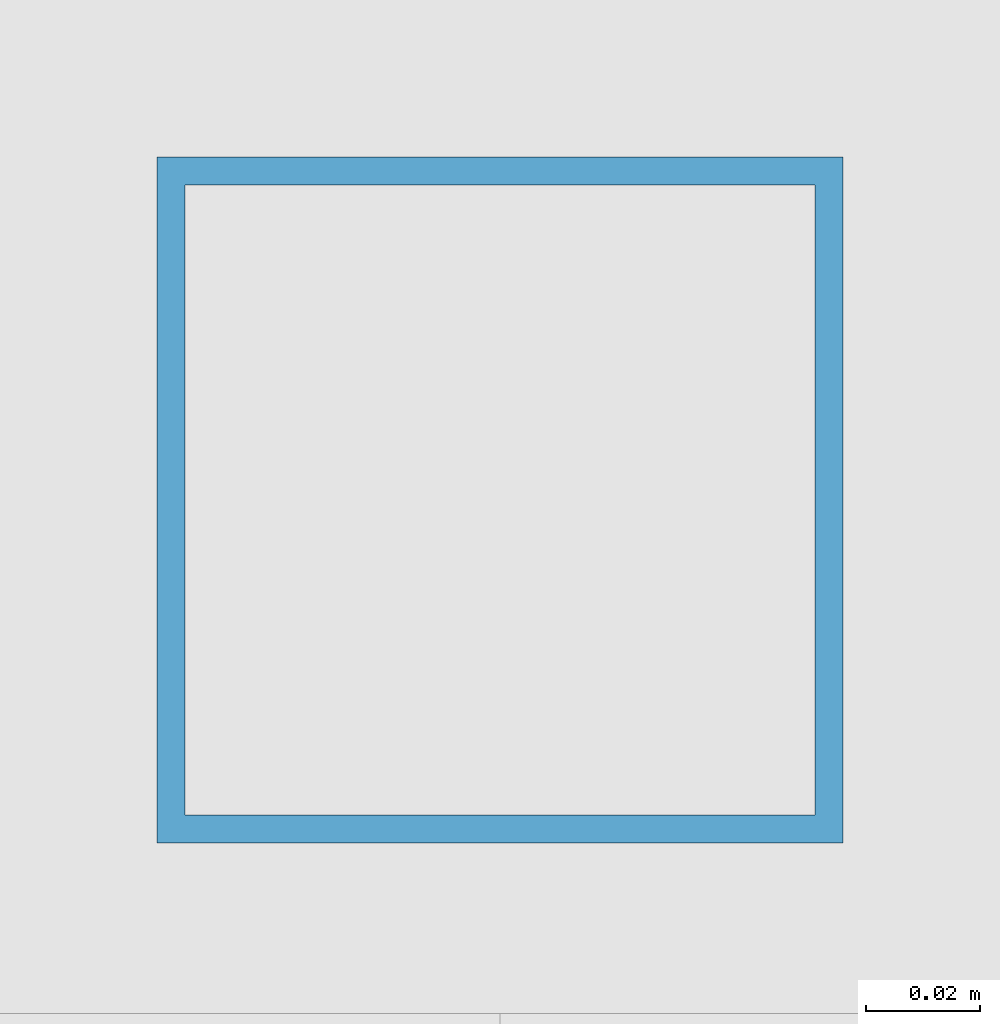
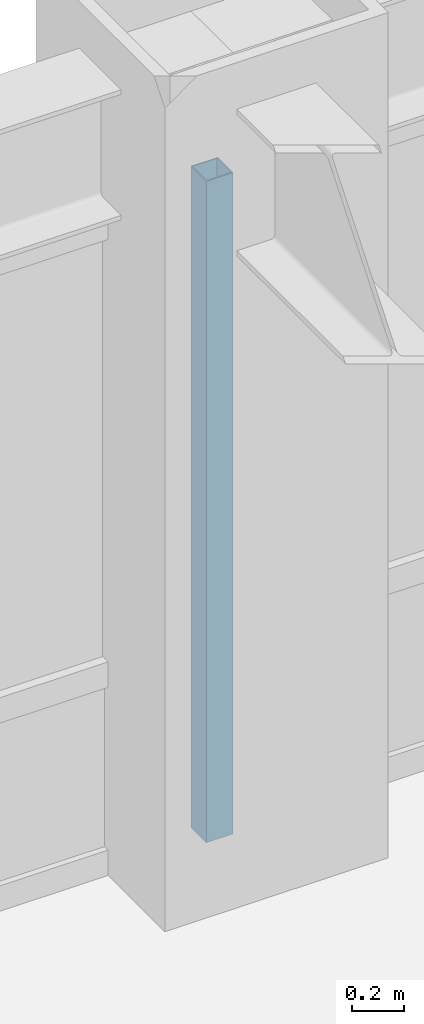
# One storey, part 16 of 29: 1 member, 1 element without a shape of its own.
"""IFC4 building model written with IfcOpenShell, lengths in metres."""

import ifcopenshell
import ifcopenshell.guid

model = None  # the IFC model being written
_history = None  # IfcOwnerHistory: only IFC2X3 demands one
_inside = {}  # id of a spatial element -> (the spatial element, [elements in it])
_under = {}  # id of a project, library or spatial element -> (it, [spatial elements below it])
_declared = {}  # id of a project -> (the project, [libraries it declares])
_typed = {}  # id of a type object -> (the type object, [elements of that type])
_made_of = {}  # id of a material, layer set ... -> (it, [elements and type objects made of it])


def new_model(schema):
    """Start an empty IFC model of exactly this schema.

    Asked for "IFC4X3", IfcOpenShell would pick the latest addendum, in which some entities
    have other attributes; the version numbers below select the first issue.
    IFC2X3 requires an IfcOwnerHistory on every rooted entity: one is made here for all.
    """
    global model, _history
    if schema == "IFC4X3":
        model = ifcopenshell.file(schema_version=(4, 3, 0, 0))
    else:
        model = ifcopenshell.file(schema=schema)
    _inside.clear()
    _under.clear()
    _declared.clear()
    _typed.clear()
    _made_of.clear()
    _history = None
    if model.schema == "IFC2X3":
        org = make("IfcOrganization", Name="unknown")
        user = make(
            "IfcPersonAndOrganization",
            ThePerson=make("IfcPerson", FamilyName="unknown"),
            TheOrganization=org,
        )
        app = make(
            "IfcApplication",
            ApplicationDeveloper=org,
            Version="unknown",
            ApplicationFullName="unknown",
            ApplicationIdentifier="unknown",
        )
        _history = make(
            "IfcOwnerHistory",
            OwningUser=user,
            OwningApplication=app,
            ChangeAction="ADDED",
            CreationDate=0,
        )
    return model


def make(cls, **values):
    """One entity of the class cls with the attributes given. An attribute that is None is left unset."""
    return model.create_entity(
        cls, **{name: value for name, value in values.items() if value is not None}
    )


def rooted(cls, **values):
    """An entity with a GlobalId (a new one), such as an element, a storey or a relation."""
    return make(cls, GlobalId=ifcopenshell.guid.new(), OwnerHistory=_history, **values)


def si_unit(unit_type, name, prefix=None):
    """IfcSIUnit, for example si_unit("LENGTHUNIT", "METRE", prefix="MILLI")."""
    return make("IfcSIUnit", UnitType=unit_type, Prefix=prefix, Name=name)


def assignment(units):
    """IfcUnitAssignment: the units of a project."""
    return None if units is None else make("IfcUnitAssignment", Units=units)


def point(xyz):
    """IfcCartesianPoint."""
    return None if xyz is None else make("IfcCartesianPoint", Coordinates=xyz)


def direction(xyz):
    """IfcDirection."""
    return None if xyz is None else make("IfcDirection", DirectionRatios=xyz)


def frame(location, z_axis=None, x_axis=None):
    """IfcAxis2Placement3D, a coordinate frame: its origin and axes. An axis left out is left unset."""
    return make(
        "IfcAxis2Placement3D",
        Location=point(location),
        Axis=direction(z_axis),
        RefDirection=direction(x_axis),
    )


def frame_2d(location, x_axis=None):
    """IfcAxis2Placement2D, a coordinate frame in the plane: its origin and x axis."""
    return make(
        "IfcAxis2Placement2D", Location=point(location), RefDirection=direction(x_axis)
    )


def origin():
    """The frame at (0, 0, 0) with its axes left unset."""
    return frame((0.0, 0.0, 0.0))


def origin_2d():
    """The frame at (0, 0) in the plane with its x axis left unset."""
    return frame_2d((0.0, 0.0))


def place(relative_to, where):
    """IfcLocalPlacement: puts the frame where relative to a parent placement (None: the world)."""
    return make(
        "IfcLocalPlacement", PlacementRelTo=relative_to, RelativePlacement=where
    )


def context(
    kind, dimensions, precision=None, world=None, true_north=None, identifier=None
):
    """IfcGeometricRepresentationContext, for example the 3D "Model" context."""
    return make(
        "IfcGeometricRepresentationContext",
        ContextIdentifier=identifier,
        ContextType=kind,
        CoordinateSpaceDimension=dimensions,
        Precision=precision,
        WorldCoordinateSystem=world,
        TrueNorth=true_north,
    )


def subcontext(parent, identifier, kind, view, scale=None):
    """IfcGeometricRepresentationSubContext, for example "Body" below "Model"."""
    return make(
        "IfcGeometricRepresentationSubContext",
        ContextIdentifier=identifier,
        ContextType=kind,
        ParentContext=parent,
        TargetScale=scale,
        TargetView=view,
    )


def project(units=None, contexts=None):
    """IfcProject with its units and contexts."""
    return rooted(
        "IfcProject",
        Name="project",
        RepresentationContexts=contexts,
        UnitsInContext=assignment(units),
    )


def spatial(cls, under=None, at=None, **own):
    """A site, building, storey or space (cls), placed at a placement, below another one or the project."""
    s = rooted(cls, ObjectPlacement=at, **own)
    if under is not None:
        _under.setdefault(under.id(), (under, []))[1].append(s)
    return s


def profile(cls, at=None, kind="AREA", **sizes):
    """A parametric profile (cls). Its sizes go by their IFC names, for example OverallWidth=200.0."""
    return make(cls, ProfileType=kind, Position=at, **sizes)


def hollow_rectangle(**sizes):
    """IfcRectangleHollowProfileDef."""
    return profile("IfcRectangleHollowProfileDef", **sizes)


def extrude(swept, where, along, depth):
    """IfcExtrudedAreaSolid: the profile swept, set in the frame where, extruded along a direction by depth."""
    return make(
        "IfcExtrudedAreaSolid",
        SweptArea=swept,
        Position=where,
        ExtrudedDirection=direction(along),
        Depth=depth,
    )


def shape(context_of_items, identifier, shape_type, items):
    """IfcShapeRepresentation: the items that make up one representation, for example the "Body"."""
    return make(
        "IfcShapeRepresentation",
        ContextOfItems=context_of_items,
        RepresentationIdentifier=identifier,
        RepresentationType=shape_type,
        Items=items,
    )


def source(mapping_origin, context_of_items, identifier, shape_type, items):
    """IfcRepresentationMap: a shape defined once, which mapped items show again and again."""
    return make(
        "IfcRepresentationMap",
        MappingOrigin=mapping_origin,
        MappedRepresentation=shape(context_of_items, identifier, shape_type, items),
    )


def transform(
    local_origin,
    x_axis=None,
    y_axis=None,
    z_axis=None,
    scale=None,
    scale2=None,
    scale3=None,
    uniform=True,
):
    """IfcCartesianTransformationOperator3D, or its non-uniform kind. x_axis, y_axis, z_axis: its Axis1, 2, 3."""
    if uniform:
        return make(
            "IfcCartesianTransformationOperator3D",
            Axis1=direction(x_axis),
            Axis2=direction(y_axis),
            LocalOrigin=point(local_origin),
            Scale=scale,
            Axis3=direction(z_axis),
        )
    return make(
        "IfcCartesianTransformationOperator3DnonUniform",
        Axis1=direction(x_axis),
        Axis2=direction(y_axis),
        LocalOrigin=point(local_origin),
        Scale=scale,
        Axis3=direction(z_axis),
        Scale2=scale2,
        Scale3=scale3,
    )


def mapped(mapping_source, mapping_target):
    """IfcMappedItem: shows the shape of a source again, moved by a transform."""
    return make(
        "IfcMappedItem", MappingSource=mapping_source, MappingTarget=mapping_target
    )


def material(Name=None, Category=None):
    """IfcMaterial."""
    return make("IfcMaterial", Name=Name, Category=Category)


def material_profile(
    of_material, cross_section, Name=None, Category=None, Priority=None
):
    """IfcMaterialProfile: a cross section and its material."""
    return make(
        "IfcMaterialProfile",
        Name=Name,
        Material=of_material,
        Profile=cross_section,
        Priority=Priority,
        Category=Category,
    )


def profile_set(profiles, Name=None, composite=None):
    """IfcMaterialProfileSet."""
    return make(
        "IfcMaterialProfileSet",
        Name=Name,
        MaterialProfiles=profiles,
        CompositeProfile=composite,
    )


def made_of(thing, what):
    """Note that an element or type object is made of a material, layer set ...; save() writes the relation."""
    if what is not None:
        _made_of.setdefault(what.id(), (what, []))[1].append(thing)
    return thing


def type_object(cls, material=None, **own):
    """A type object (cls), such as IfcWallType, which elements share."""
    return made_of(rooted(cls, **own), material)


def element(
    cls,
    number,
    at=None,
    inside=None,
    cuts=None,
    type_object=None,
    material=None,
    context=None,
    identifier="Body",
    shape_type=None,
    held_by="IfcProductDefinitionShape",
    body=None,
    shapes=None,
    **own,
):
    """One element of the class cls, such as IfcWall. Its Tag is "e" and its number.

    at: its placement. inside: the storey or other place that contains it. cuts: it is an
    opening in that element (IfcRelVoidsElement). A single representation is given by context,
    identifier, shape_type and body (its items); several are given by shapes. held_by: the class
    of the entity that holds the representations. save() writes the other relations.
    """
    e = rooted(cls, Tag="e%d" % number, ObjectPlacement=at, **own)
    if body is not None:
        shapes = [shape(context, identifier, shape_type, body)]
    if shapes is not None:
        e.Representation = make(held_by, Representations=shapes)
    if inside is not None:
        _inside.setdefault(inside.id(), (inside, []))[1].append(e)
    if cuts is not None:
        rooted(
            "IfcRelVoidsElement", RelatingBuildingElement=cuts, RelatedOpeningElement=e
        )
    if type_object is not None:
        _typed.setdefault(type_object.id(), (type_object, []))[1].append(e)
    return made_of(e, material)


def aggregate(whole, parts):
    """IfcRelAggregates: a whole, such as a stair, and the parts it consists of."""
    return rooted("IfcRelAggregates", RelatingObject=whole, RelatedObjects=parts)


def save(model, path):
    """Write the relations noted so far, then the file.

    IfcRelAggregates (storeys below a building ...), IfcRelContainedInSpatialStructure (elements
    in a storey), IfcRelDefinesByType, IfcRelAssociatesMaterial and IfcRelDeclares: one each for
    every whole, place, type object, material and project.
    """
    for whole, parts in _under.values():
        aggregate(whole, parts)
    for where, things in _inside.values():
        rooted(
            "IfcRelContainedInSpatialStructure",
            RelatedElements=things,
            RelatingStructure=where,
        )
    for kind, things in _typed.values():
        rooted("IfcRelDefinesByType", RelatedObjects=things, RelatingType=kind)
    for what, things in _made_of.values():
        rooted("IfcRelAssociatesMaterial", RelatedObjects=things, RelatingMaterial=what)
    for by, libraries in _declared.values():
        rooted("IfcRelDeclares", RelatingContext=by, RelatedDefinitions=libraries)
    model.write(path)


model = new_model("IFC4")

# Units and contexts
model_context = context("Model", 3, precision=1e-05, world=origin(), true_north=direction((0.0, 1.0)))
body_context = subcontext(model_context, "Body", "Model", "MODEL_VIEW")
ifc_project = project(units=[si_unit("LENGTHUNIT", "METRE"), si_unit("AREAUNIT", "SQUARE_METRE"), si_unit("VOLUMEUNIT", "CUBIC_METRE"), si_unit("PLANEANGLEUNIT", "RADIAN"), si_unit("MASSUNIT", "GRAM", prefix="KILO")], contexts=[model_context])

# Site, building, storey
site_placement = place(None, origin())
site = spatial("IfcSite", under=ifc_project, at=site_placement, CompositionType="ELEMENT")
building_placement = place(site_placement, origin())
building = spatial("IfcBuilding", under=site, at=building_placement, Name="Khorayat Bourse Tower", CompositionType="ELEMENT")
storey_placement = place(building_placement, frame((0.0, 0.0, 239.10009765625)))
storey = spatial("IfcBuildingStorey", under=building, at=storey_placement, Name="L56", CompositionType="ELEMENT", Elevation=239.10009765625)

# Curtain wall, member
ifc_material = material(Name="Aluminium EN AW-6063 T6", Category="aluminium")
curtain_wall_type = type_object("IfcCurtainWallType", Name="CW-SYS-03", PredefinedType="NOTDEFINED", material=ifc_material)
curtain_wall_placement = place(storey_placement, origin())
curtain_wall = element("IfcCurtainWall", 1, at=curtain_wall_placement, inside=storey, type_object=curtain_wall_type, Name="L56 Curtain Wall CW-L56-N1", PredefinedType="NOTDEFINED")
ifc_material_profile = material_profile(ifc_material, hollow_rectangle(XDim=0.1201171875, YDim=0.1201171875, WallThickness=0.0048828125, at=origin_2d()), Name="ALU 120x120x5")
ifc_profile_set = profile_set([ifc_material_profile], Name="Aluminium EN AW-6063 T6")
member_type = type_object("IfcMemberType", Name="CWM-VERT-120", PredefinedType="MULLION", material=ifc_profile_set)
shared_shape = source(origin(), body_context, "Body", "SweptSolid", [
    extrude(hollow_rectangle(XDim=0.1201171875, YDim=0.1201171875, WallThickness=0.0048828125, at=origin_2d()), origin(), (0.0, 0.0, 1.0), 3.1298828125),
])
member_placement = place(storey_placement, frame((0.0, 30.0, 0.0), z_axis=(0.0, 0.0, 1.0), x_axis=(0.0, 1.0, 0.0)))
member = element("IfcMember", 2, at=member_placement, type_object=member_type, Name="CW-L56-N1 Vertical Mullion 2", PredefinedType="MULLION", context=body_context, shape_type="MappedRepresentation", body=[
    mapped(shared_shape, transform((0.0, 0.0, 0.0), scale=1.0)),
])
aggregate(curtain_wall, [member])

save(model, "model.ifc")
